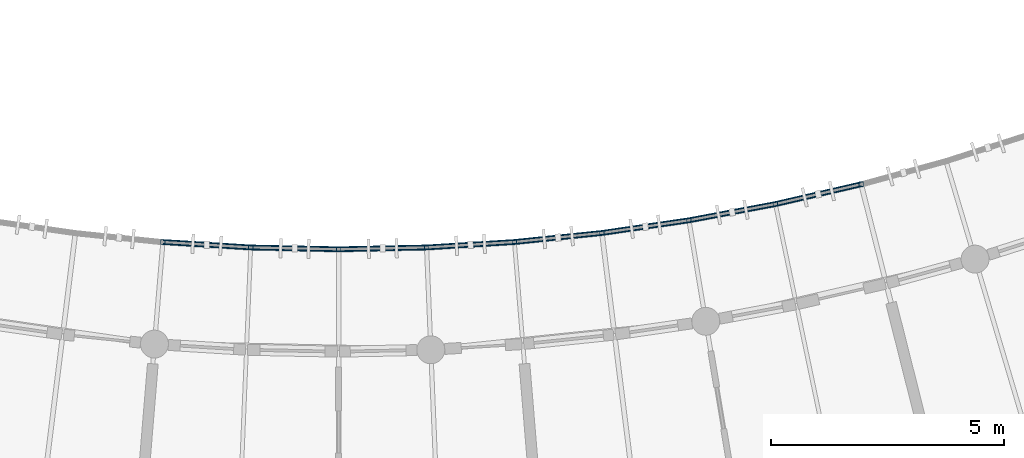
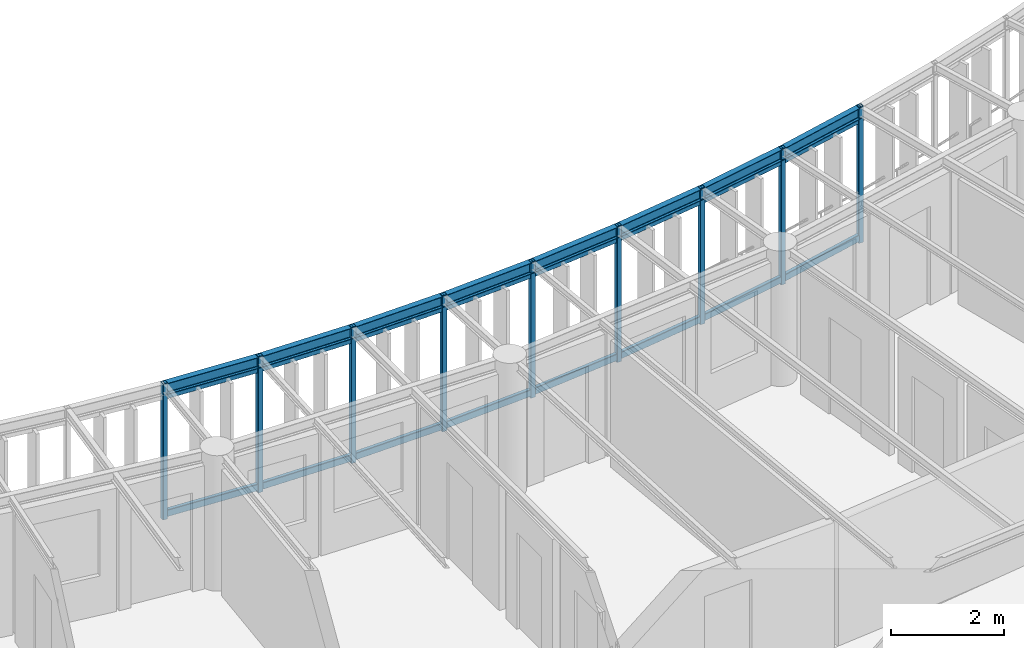
# One storey, part 19 of 101: 25 members, 8 beams.
"""IFC4 building model written with IfcOpenShell, lengths in metres."""

from ifc_helpers import new_model, si_unit, direction, frame, origin, origin_2d, place, context, subcontext, project, spatial, hollow_rectangle, i_section, extrude, material, material_profile, profile_set, type_object, element, save


model = new_model("IFC4")

# Units and contexts
model_context = context("Model", 3, precision=1e-05, world=origin(), true_north=direction((0.0, 1.0)))
body_context = subcontext(model_context, "Body", "Model", "MODEL_VIEW")
ifc_project = project(units=[si_unit("LENGTHUNIT", "METRE"), si_unit("AREAUNIT", "SQUARE_METRE"), si_unit("VOLUMEUNIT", "CUBIC_METRE"), si_unit("PLANEANGLEUNIT", "RADIAN"), si_unit("MASSUNIT", "GRAM", prefix="KILO"), si_unit("POWERUNIT", "WATT"), si_unit("THERMODYNAMICTEMPERATUREUNIT", "KELVIN")], contexts=[model_context])

# Site, building, storey
site_placement = place(None, origin())
site = spatial("IfcSite", under=ifc_project, at=site_placement, CompositionType="ELEMENT")
building_placement = place(site_placement, origin())
building = spatial("IfcBuilding", under=site, at=building_placement, Name="Ruvembo Vaulted Housing Court", CompositionType="ELEMENT")
storey_placement = place(building_placement, frame((0.0, 0.0, 17.300048828125)))
storey = spatial("IfcBuildingStorey", under=building, at=storey_placement, Name="L05", CompositionType="ELEMENT", Elevation=17.300048828125)

# Beams
ifc_material = material(Name="Steel S355J2", Category="steel")
ifc_material_profile_1 = material_profile(ifc_material, i_section(OverallWidth=0.1201171875, OverallDepth=0.239990234375, WebThickness=0.006103515625, FlangeThickness=0.009765625, FilletRadius=0.014892578125, at=origin_2d()), Name="IPE 240")
ifc_profile_set_1 = profile_set([ifc_material_profile_1], Name="Steel S355J2")
beam_type = type_object("IfcBeamType", Name="BM-ST-IPE240", PredefinedType="BEAM", material=ifc_profile_set_1)
beam_1_placement = place(storey_placement, frame((65.2255859375, 16.355712890625, 2.81201171875), z_axis=(0.998090110864, -0.061774837886, 0.0), x_axis=(0.061774837886, 0.998090110864, 0.0)))
element("IfcBeam", 1, at=beam_1_placement, inside=storey, type_object=beam_type, Name="Scoop SC2 L05 Balcony Edge Spandrel 12", PredefinedType="BEAM", context=body_context, shape_type="SweptSolid", body=[
    extrude(i_section(OverallWidth=0.1201171875, OverallDepth=0.239990234375, WebThickness=0.006103515625, FlangeThickness=0.009765625, FilletRadius=0.014892578125, at=origin_2d()), origin(), (0.0, 0.0, 1.0), 1.88916015625),
])
for number, where, z_axis, x_axis, name in (
    (2, (67.111083984375, 16.239013671875, 2.81201171875), (0.99978624046, -0.020675429556, 0.0), (0.020675429556, 0.99978624046, 0.0), "Scoop SC2 L05 Balcony Edge Spandrel 13"),
    (3, (69.0, 16.199951171875, 2.81201171875), (0.99978624046, 0.020675429556, 0.0), (-0.020675429556, 0.99978624046, 0.0), "Scoop SC2 L05 Balcony Edge Spandrel 14"),
):
    element("IfcBeam", number, at=place(storey_placement, frame(where, z_axis=z_axis, x_axis=x_axis)), inside=storey, type_object=beam_type, Name=name, PredefinedType="BEAM", context=body_context, shape_type="SweptSolid", body=[
        extrude(i_section(OverallWidth=0.1201171875, OverallDepth=0.239990234375, WebThickness=0.006103515625, FlangeThickness=0.009765625, FilletRadius=0.014892578125, at=origin_2d()), origin(), (0.0, 0.0, 1.0), 1.889404296875),
    ])
beam_2_placement = place(storey_placement, frame((70.888916015625, 16.239013671875, 2.81201171875), z_axis=(0.998090110864, 0.061774837886, 0.0), x_axis=(-0.061774837886, 0.998090110864, 0.0)))
element("IfcBeam", 4, at=beam_2_placement, inside=storey, type_object=beam_type, Name="Scoop SC2 L05 Balcony Edge Spandrel 15", PredefinedType="BEAM", context=body_context, shape_type="SweptSolid", body=[
    extrude(i_section(OverallWidth=0.1201171875, OverallDepth=0.239990234375, WebThickness=0.006103515625, FlangeThickness=0.009765625, FilletRadius=0.014892578125, at=origin_2d()), origin(), (0.0, 0.0, 1.0), 1.88916015625),
])
beam_3_placement = place(storey_placement, frame((72.7744140625, 16.355712890625, 2.81201171875), z_axis=(0.994683125416, 0.10298291127, 0.0), x_axis=(-0.10298291127, 0.994683125416, 0.0)))
element("IfcBeam", 5, at=beam_3_placement, inside=storey, type_object=beam_type, Name="Scoop SC2 L05 Balcony Edge Spandrel 16", PredefinedType="BEAM", context=body_context, shape_type="SweptSolid", body=[
    extrude(i_section(OverallWidth=0.1201171875, OverallDepth=0.239990234375, WebThickness=0.006103515625, FlangeThickness=0.009765625, FilletRadius=0.014892578125, at=origin_2d()), origin(), (0.0, 0.0, 1.0), 1.889404296875),
])
beam_4_placement = place(storey_placement, frame((74.65380859375, 16.55029296875, 2.81201171875), z_axis=(0.989600158039, 0.143845497701, 0.0), x_axis=(-0.143845497701, 0.989600158039, 0.0)))
element("IfcBeam", 6, at=beam_4_placement, inside=storey, type_object=beam_type, Name="Scoop SC2 L05 Balcony Edge Spandrel 17", PredefinedType="BEAM", context=body_context, shape_type="SweptSolid", body=[
    extrude(i_section(OverallWidth=0.1201171875, OverallDepth=0.239990234375, WebThickness=0.006103515625, FlangeThickness=0.009765625, FilletRadius=0.014892578125, at=origin_2d()), origin(), (0.0, 0.0, 1.0), 1.888916015625),
])
beam_5_placement = place(storey_placement, frame((76.523193359375, 16.822021484375, 2.81201171875), z_axis=(0.982804832401, 0.184647397515, 0.0), x_axis=(-0.184647397515, 0.982804832401, 0.0)))
element("IfcBeam", 7, at=beam_5_placement, inside=storey, type_object=beam_type, Name="Scoop SC2 L05 Balcony Edge Spandrel 18", PredefinedType="BEAM", context=body_context, shape_type="SweptSolid", body=[
    extrude(i_section(OverallWidth=0.1201171875, OverallDepth=0.239990234375, WebThickness=0.006103515625, FlangeThickness=0.009765625, FilletRadius=0.014892578125, at=origin_2d()), origin(), (0.0, 0.0, 1.0), 1.889404296875),
])
beam_6_placement = place(storey_placement, frame((78.380126953125, 17.1708984375, 2.81201171875), z_axis=(0.974391195695, 0.224859506699, 0.0), x_axis=(-0.224859506699, 0.974391195695, 0.0)))
element("IfcBeam", 8, at=beam_6_placement, inside=storey, type_object=beam_type, Name="Scoop SC2 L05 Balcony Edge Spandrel 19", PredefinedType="BEAM", context=body_context, shape_type="SweptSolid", body=[
    extrude(i_section(OverallWidth=0.1201171875, OverallDepth=0.239990234375, WebThickness=0.006103515625, FlangeThickness=0.009765625, FilletRadius=0.014892578125, at=origin_2d()), origin(), (0.0, 0.0, 1.0), 1.88916015625),
])

# Members
ifc_material_profile_2 = material_profile(ifc_material, hollow_rectangle(XDim=0.06005859375, YDim=0.1201171875, WallThickness=0.0048828125, InnerFilletRadius=0.0048828125, OuterFilletRadius=0.010009765625, at=origin_2d()), Name="RHS 120x60x5")
ifc_profile_set_2 = profile_set([ifc_material_profile_2], Name="Steel S355J2")
member_type_1 = type_object("IfcMemberType", Name="MEM-CAR-RHS120", PredefinedType="CHORD", material=ifc_profile_set_2)
member_1_placement = place(storey_placement, frame((65.2255859375, 16.355712890625, 2.635009765625), z_axis=(0.998090110864, -0.061774837886, 0.0), x_axis=(0.061774837886, 0.998090110864, 0.0)))
element("IfcMember", 9, at=member_1_placement, inside=storey, type_object=member_type_1, Name="Scoop SC2 L05 Upper Louvre Carrier Rail 12", PredefinedType="CHORD", context=body_context, shape_type="SweptSolid", body=[
    extrude(hollow_rectangle(XDim=0.06005859375, YDim=0.1201171875, WallThickness=0.0048828125, InnerFilletRadius=0.0048828125, OuterFilletRadius=0.010009765625, at=origin_2d()), origin(), (0.0, 0.0, 1.0), 1.88916015625),
])
for number, where, z_axis, x_axis, name in (
    (10, (67.111083984375, 16.239013671875, 2.635009765625), (0.99978624046, -0.020675429556, 0.0), (0.020675429556, 0.99978624046, 0.0), "Scoop SC2 L05 Upper Louvre Carrier Rail 13"),
    (11, (69.0, 16.199951171875, 2.635009765625), (0.99978624046, 0.020675429556, 0.0), (-0.020675429556, 0.99978624046, 0.0), "Scoop SC2 L05 Upper Louvre Carrier Rail 14"),
):
    element("IfcMember", number, at=place(storey_placement, frame(where, z_axis=z_axis, x_axis=x_axis)), inside=storey, type_object=member_type_1, Name=name, PredefinedType="CHORD", context=body_context, shape_type="SweptSolid", body=[
        extrude(hollow_rectangle(XDim=0.06005859375, YDim=0.1201171875, WallThickness=0.0048828125, InnerFilletRadius=0.0048828125, OuterFilletRadius=0.010009765625, at=origin_2d()), origin(), (0.0, 0.0, 1.0), 1.889404296875),
    ])
member_2_placement = place(storey_placement, frame((70.888916015625, 16.239013671875, 2.635009765625), z_axis=(0.998090110864, 0.061774837886, 0.0), x_axis=(-0.061774837886, 0.998090110864, 0.0)))
element("IfcMember", 12, at=member_2_placement, inside=storey, type_object=member_type_1, Name="Scoop SC2 L05 Upper Louvre Carrier Rail 15", PredefinedType="CHORD", context=body_context, shape_type="SweptSolid", body=[
    extrude(hollow_rectangle(XDim=0.06005859375, YDim=0.1201171875, WallThickness=0.0048828125, InnerFilletRadius=0.0048828125, OuterFilletRadius=0.010009765625, at=origin_2d()), origin(), (0.0, 0.0, 1.0), 1.88916015625),
])
member_3_placement = place(storey_placement, frame((72.7744140625, 16.355712890625, 2.635009765625), z_axis=(0.994683125416, 0.10298291127, 0.0), x_axis=(-0.10298291127, 0.994683125416, 0.0)))
element("IfcMember", 13, at=member_3_placement, inside=storey, type_object=member_type_1, Name="Scoop SC2 L05 Upper Louvre Carrier Rail 16", PredefinedType="CHORD", context=body_context, shape_type="SweptSolid", body=[
    extrude(hollow_rectangle(XDim=0.06005859375, YDim=0.1201171875, WallThickness=0.0048828125, InnerFilletRadius=0.0048828125, OuterFilletRadius=0.010009765625, at=origin_2d()), origin(), (0.0, 0.0, 1.0), 1.889404296875),
])
member_4_placement = place(storey_placement, frame((74.65380859375, 16.55029296875, 2.635009765625), z_axis=(0.989600158039, 0.143845497701, 0.0), x_axis=(-0.143845497701, 0.989600158039, 0.0)))
element("IfcMember", 14, at=member_4_placement, inside=storey, type_object=member_type_1, Name="Scoop SC2 L05 Upper Louvre Carrier Rail 17", PredefinedType="CHORD", context=body_context, shape_type="SweptSolid", body=[
    extrude(hollow_rectangle(XDim=0.06005859375, YDim=0.1201171875, WallThickness=0.0048828125, InnerFilletRadius=0.0048828125, OuterFilletRadius=0.010009765625, at=origin_2d()), origin(), (0.0, 0.0, 1.0), 1.888916015625),
])
member_5_placement = place(storey_placement, frame((76.523193359375, 16.822021484375, 2.635009765625), z_axis=(0.982804832401, 0.184647397515, 0.0), x_axis=(-0.184647397515, 0.982804832401, 0.0)))
element("IfcMember", 15, at=member_5_placement, inside=storey, type_object=member_type_1, Name="Scoop SC2 L05 Upper Louvre Carrier Rail 18", PredefinedType="CHORD", context=body_context, shape_type="SweptSolid", body=[
    extrude(hollow_rectangle(XDim=0.06005859375, YDim=0.1201171875, WallThickness=0.0048828125, InnerFilletRadius=0.0048828125, OuterFilletRadius=0.010009765625, at=origin_2d()), origin(), (0.0, 0.0, 1.0), 1.889404296875),
])
member_6_placement = place(storey_placement, frame((78.380126953125, 17.1708984375, 2.635009765625), z_axis=(0.974391195695, 0.224859506699, 0.0), x_axis=(-0.224859506699, 0.974391195695, 0.0)))
element("IfcMember", 16, at=member_6_placement, inside=storey, type_object=member_type_1, Name="Scoop SC2 L05 Upper Louvre Carrier Rail 19", PredefinedType="CHORD", context=body_context, shape_type="SweptSolid", body=[
    extrude(hollow_rectangle(XDim=0.06005859375, YDim=0.1201171875, WallThickness=0.0048828125, InnerFilletRadius=0.0048828125, OuterFilletRadius=0.010009765625, at=origin_2d()), origin(), (0.0, 0.0, 1.0), 1.88916015625),
])
ifc_material_profile_3 = material_profile(ifc_material, hollow_rectangle(XDim=0.080078125, YDim=0.14990234375, WallThickness=0.00634765625, InnerFilletRadius=0.00634765625, OuterFilletRadius=0.0126953125, at=origin_2d()), Name="RHS 150x80x6.3")
ifc_profile_set_3 = profile_set([ifc_material_profile_3], Name="Steel S355J2")
member_type_2 = type_object("IfcMemberType", Name="MEM-CAR-RHS150", PredefinedType="CHORD", material=ifc_profile_set_3)
member_7_placement = place(storey_placement, frame((65.2255859375, 16.355712890625, 0.094970703125), z_axis=(0.998090110864, -0.061774837886, 0.0), x_axis=(0.061774837886, 0.998090110864, 0.0)))
element("IfcMember", 17, at=member_7_placement, inside=storey, type_object=member_type_2, Name="Scoop SC2 L05 Lower Louvre Carrier Rail 12", PredefinedType="CHORD", context=body_context, shape_type="SweptSolid", body=[
    extrude(hollow_rectangle(XDim=0.080078125, YDim=0.14990234375, WallThickness=0.00634765625, InnerFilletRadius=0.00634765625, OuterFilletRadius=0.0126953125, at=origin_2d()), origin(), (0.0, 0.0, 1.0), 1.88916015625),
])
for number, where, z_axis, x_axis, name in (
    (18, (67.111083984375, 16.239013671875, 0.094970703125), (0.99978624046, -0.020675429556, 0.0), (0.020675429556, 0.99978624046, 0.0), "Scoop SC2 L05 Lower Louvre Carrier Rail 13"),
    (19, (69.0, 16.199951171875, 0.094970703125), (0.99978624046, 0.020675429556, 0.0), (-0.020675429556, 0.99978624046, 0.0), "Scoop SC2 L05 Lower Louvre Carrier Rail 14"),
):
    element("IfcMember", number, at=place(storey_placement, frame(where, z_axis=z_axis, x_axis=x_axis)), inside=storey, type_object=member_type_2, Name=name, PredefinedType="CHORD", context=body_context, shape_type="SweptSolid", body=[
        extrude(hollow_rectangle(XDim=0.080078125, YDim=0.14990234375, WallThickness=0.00634765625, InnerFilletRadius=0.00634765625, OuterFilletRadius=0.0126953125, at=origin_2d()), origin(), (0.0, 0.0, 1.0), 1.889404296875),
    ])
member_8_placement = place(storey_placement, frame((70.888916015625, 16.239013671875, 0.094970703125), z_axis=(0.998090110864, 0.061774837886, 0.0), x_axis=(-0.061774837886, 0.998090110864, 0.0)))
element("IfcMember", 20, at=member_8_placement, inside=storey, type_object=member_type_2, Name="Scoop SC2 L05 Lower Louvre Carrier Rail 15", PredefinedType="CHORD", context=body_context, shape_type="SweptSolid", body=[
    extrude(hollow_rectangle(XDim=0.080078125, YDim=0.14990234375, WallThickness=0.00634765625, InnerFilletRadius=0.00634765625, OuterFilletRadius=0.0126953125, at=origin_2d()), origin(), (0.0, 0.0, 1.0), 1.88916015625),
])
member_9_placement = place(storey_placement, frame((72.7744140625, 16.355712890625, 0.094970703125), z_axis=(0.994683125416, 0.10298291127, 0.0), x_axis=(-0.10298291127, 0.994683125416, 0.0)))
element("IfcMember", 21, at=member_9_placement, inside=storey, type_object=member_type_2, Name="Scoop SC2 L05 Lower Louvre Carrier Rail 16", PredefinedType="CHORD", context=body_context, shape_type="SweptSolid", body=[
    extrude(hollow_rectangle(XDim=0.080078125, YDim=0.14990234375, WallThickness=0.00634765625, InnerFilletRadius=0.00634765625, OuterFilletRadius=0.0126953125, at=origin_2d()), origin(), (0.0, 0.0, 1.0), 1.889404296875),
])
member_10_placement = place(storey_placement, frame((74.65380859375, 16.55029296875, 0.094970703125), z_axis=(0.989600158039, 0.143845497701, 0.0), x_axis=(-0.143845497701, 0.989600158039, 0.0)))
element("IfcMember", 22, at=member_10_placement, inside=storey, type_object=member_type_2, Name="Scoop SC2 L05 Lower Louvre Carrier Rail 17", PredefinedType="CHORD", context=body_context, shape_type="SweptSolid", body=[
    extrude(hollow_rectangle(XDim=0.080078125, YDim=0.14990234375, WallThickness=0.00634765625, InnerFilletRadius=0.00634765625, OuterFilletRadius=0.0126953125, at=origin_2d()), origin(), (0.0, 0.0, 1.0), 1.888916015625),
])
member_11_placement = place(storey_placement, frame((76.523193359375, 16.822021484375, 0.094970703125), z_axis=(0.982804832401, 0.184647397515, 0.0), x_axis=(-0.184647397515, 0.982804832401, 0.0)))
element("IfcMember", 23, at=member_11_placement, inside=storey, type_object=member_type_2, Name="Scoop SC2 L05 Lower Louvre Carrier Rail 18", PredefinedType="CHORD", context=body_context, shape_type="SweptSolid", body=[
    extrude(hollow_rectangle(XDim=0.080078125, YDim=0.14990234375, WallThickness=0.00634765625, InnerFilletRadius=0.00634765625, OuterFilletRadius=0.0126953125, at=origin_2d()), origin(), (0.0, 0.0, 1.0), 1.889404296875),
])
member_12_placement = place(storey_placement, frame((78.380126953125, 17.1708984375, 0.094970703125), z_axis=(0.974391195695, 0.224859506699, 0.0), x_axis=(-0.224859506699, 0.974391195695, 0.0)))
element("IfcMember", 24, at=member_12_placement, inside=storey, type_object=member_type_2, Name="Scoop SC2 L05 Lower Louvre Carrier Rail 19", PredefinedType="CHORD", context=body_context, shape_type="SweptSolid", body=[
    extrude(hollow_rectangle(XDim=0.080078125, YDim=0.14990234375, WallThickness=0.00634765625, InnerFilletRadius=0.00634765625, OuterFilletRadius=0.0126953125, at=origin_2d()), origin(), (0.0, 0.0, 1.0), 1.88916015625),
])
ifc_material_profile_4 = material_profile(ifc_material, hollow_rectangle(XDim=0.10009765625, YDim=0.10009765625, WallThickness=0.00634765625, InnerFilletRadius=0.00634765625, OuterFilletRadius=0.0126953125, at=origin_2d()), Name="SHS 100x100x6.3")
ifc_profile_set_4 = profile_set([ifc_material_profile_4], Name="Steel S355J2")
member_type_3 = type_object("IfcMemberType", Name="MEM-FRM-SHS100", PredefinedType="STRUT", material=ifc_profile_set_4)
for number, where, z_axis, x_axis, name in (
    (25, (65.2255859375, 16.355712890625, -0.01513671875), (0.0, 0.0, 1.0), (1.0, 0.0, 0.0), "Scoop SC2 L05 Louvre Frame Post 12"),
    (26, (67.111083984375, 16.239013671875, -0.01513671875), (0.0, 0.0, 1.0), (1.0, 0.0, 0.0), "Scoop SC2 L05 Louvre Frame Post 13"),
    (27, (69.0, 16.199951171875, -0.01513671875), (0.0, 0.0, 1.0), (1.0, 0.0, 0.0), "Scoop SC2 L05 Louvre Frame Post 14"),
    (28, (70.888916015625, 16.239013671875, -0.01513671875), (0.0, 0.0, 1.0), (1.0, 0.0, 0.0), "Scoop SC2 L05 Louvre Frame Post 15"),
    (29, (72.7744140625, 16.355712890625, -0.01513671875), (0.0, 0.0, 1.0), (1.0, 0.0, 0.0), "Scoop SC2 L05 Louvre Frame Post 16"),
    (30, (74.65380859375, 16.55029296875, -0.01513671875), (0.0, 0.0, 1.0), (1.0, 0.0, 0.0), "Scoop SC2 L05 Louvre Frame Post 17"),
    (31, (76.523193359375, 16.822021484375, -0.01513671875), (0.0, 0.0, 1.0), (1.0, 0.0, 0.0), "Scoop SC2 L05 Louvre Frame Post 18"),
    (32, (78.380126953125, 17.1708984375, -0.01513671875), (0.0, 0.0, 1.0), (1.0, 0.0, 0.0), "Scoop SC2 L05 Louvre Frame Post 19"),
    (33, (80.220947265625, 17.595703125, -0.01513671875), (0.0, 0.0, 1.0), (1.0, 0.0, 0.0), "Scoop SC2 L05 Louvre Frame Post 20"),
):
    element("IfcMember", number, at=place(storey_placement, frame(where, z_axis=z_axis, x_axis=x_axis)), inside=storey, type_object=member_type_3, Name=name, PredefinedType="STRUT", context=body_context, shape_type="SweptSolid", body=[
        extrude(hollow_rectangle(XDim=0.10009765625, YDim=0.10009765625, WallThickness=0.00634765625, InnerFilletRadius=0.00634765625, OuterFilletRadius=0.0126953125, at=origin_2d()), origin(), (0.0, 0.0, 1.0), 2.953125),
    ])

save(model, "model.ifc")
